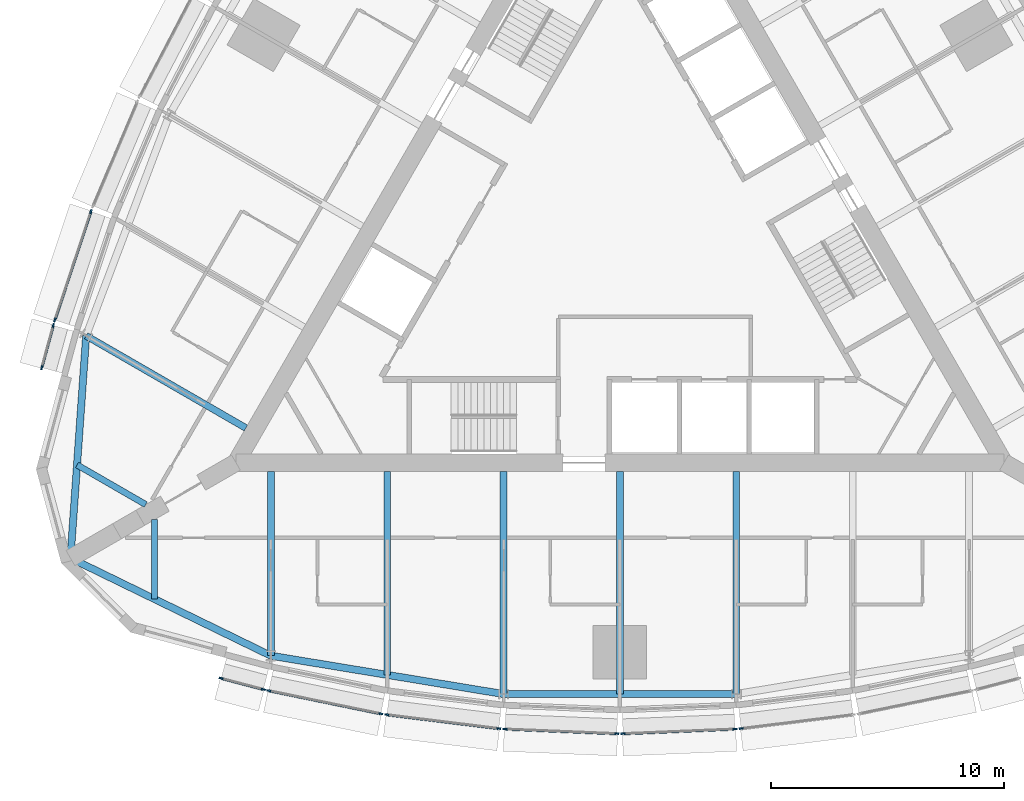
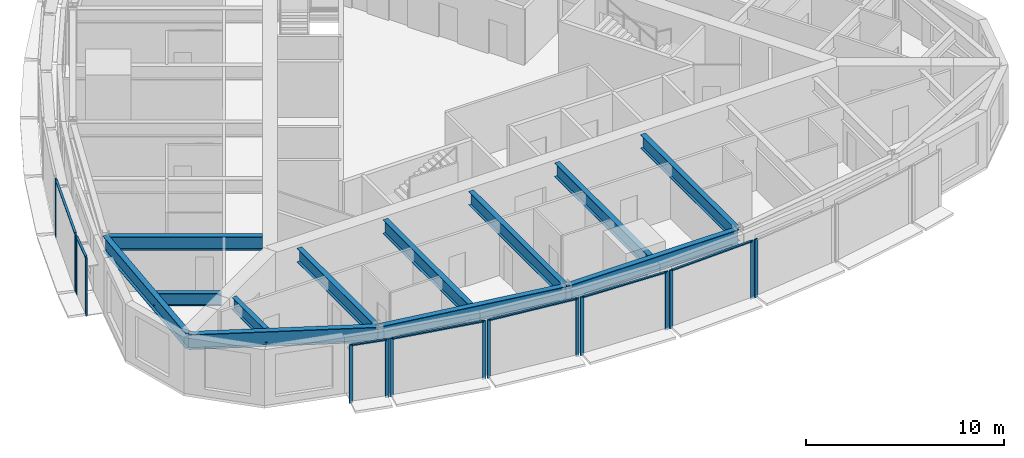
# One storey, part 2 of 15: 22 members, 12 beams, 8 elements without a shape of their own.
"""IFC4 building model written with IfcOpenShell, lengths in metres."""

from ifc_helpers import new_model, si_unit, direction, frame, origin, origin_2d, place, context, subcontext, project, spatial, rectangle, i_section, extrude, material, material_profile, profile_set, type_object, element, aggregate, save


model = new_model("IFC4")

# Units and contexts
model_context = context("Model", 3, precision=1e-05, world=origin(), true_north=direction((0.0, 1.0)))
body_context = subcontext(model_context, "Body", "Model", "MODEL_VIEW")
ifc_project = project(units=[si_unit("LENGTHUNIT", "METRE"), si_unit("AREAUNIT", "SQUARE_METRE"), si_unit("VOLUMEUNIT", "CUBIC_METRE"), si_unit("PLANEANGLEUNIT", "RADIAN"), si_unit("MASSUNIT", "GRAM", prefix="KILO")], contexts=[model_context])

# Site, building, storey
site_placement = place(None, origin())
site = spatial("IfcSite", under=ifc_project, at=site_placement, CompositionType="ELEMENT")
building_placement = place(site_placement, origin())
building = spatial("IfcBuilding", under=site, at=building_placement, Name="Trikona Tower", CompositionType="ELEMENT")
storey_placement = place(building_placement, frame((0.0, 0.0, 226.10009765625)))
storey = spatial("IfcBuildingStorey", under=building, at=storey_placement, Name="L60", CompositionType="ELEMENT", Elevation=226.10009765625)

# Curtain wall, members
ifc_material_1 = material(Name="Aluminium curtain wall system", Category="aluminium")
curtain_wall_type = type_object("IfcCurtainWallType", Name="Curtain wall DS3", PredefinedType="NOTDEFINED", material=ifc_material_1)
curtain_wall_1_placement = place(storey_placement, origin())
curtain_wall_1 = element("IfcCurtainWall", 1, at=curtain_wall_1_placement, inside=storey, type_object=curtain_wall_type, Name="Curtain wall DS3 L60", PredefinedType="NOTDEFINED")
ifc_material_2 = material(Name="Aluminium mullion, pale anodised", Category="aluminium")
ifc_material_profile_1 = material_profile(ifc_material_2, rectangle(XDim=0.070068359375, YDim=0.179931640625, at=origin_2d()), Name="MUL-DS3")
ifc_profile_set_1 = profile_set([ifc_material_profile_1], Name="Aluminium mullion, pale anodised")
member_type_1 = type_object("IfcMemberType", Name="Mullion DS3 70x180", PredefinedType="MULLION", material=ifc_profile_set_1)
member_1_placement = place(storey_placement, frame((-17.137451171875, -18.79248046875, 0.0), z_axis=(0.0, 0.0, 1.0), x_axis=(0.25478635579, 0.966997369647, 0.0)))
member_1 = element("IfcMember", 2, at=member_1_placement, type_object=member_type_1, Name="CW-DS3 mullion 1", PredefinedType="MULLION", context=body_context, shape_type="SweptSolid", body=[
    extrude(rectangle(XDim=0.070068359375, YDim=0.179931640625, at=origin_2d()), origin(), (0.0, 0.0, 1.0), 3.599853515625),
])
member_2_placement = place(storey_placement, frame((-15.321044921875, -19.27099609375, 0.0), z_axis=(0.0, 0.0, 1.0), x_axis=(0.25478635579, 0.966997369647, 0.0)))
member_2 = element("IfcMember", 3, at=member_2_placement, type_object=member_type_1, Name="CW-DS3 mullion 2", PredefinedType="MULLION", context=body_context, shape_type="SweptSolid", body=[
    extrude(rectangle(XDim=0.070068359375, YDim=0.179931640625, at=origin_2d()), origin(), (0.0, 0.0, 1.0), 3.599853515625),
])

curtain_wall_2_placement = place(storey_placement, origin())
curtain_wall_2 = element("IfcCurtainWall", 4, at=curtain_wall_2_placement, inside=storey, type_object=curtain_wall_type, Name="Curtain wall DS3 L60", PredefinedType="NOTDEFINED")
member_3_placement = place(storey_placement, frame((-15.08837890625, -19.325439453125, 0.0), z_axis=(0.0, 0.0, 1.0), x_axis=(0.201652920672, 0.979457043256, 0.0)))
member_3 = element("IfcMember", 5, at=member_3_placement, type_object=member_type_1, Name="CW-DS3 mullion 1", PredefinedType="MULLION", context=body_context, shape_type="SweptSolid", body=[
    extrude(rectangle(XDim=0.070068359375, YDim=0.179931640625, at=origin_2d()), origin(), (0.0, 0.0, 1.0), 3.599853515625),
])
member_4_placement = place(storey_placement, frame((-10.274658203125, -20.316650390625, 0.0), z_axis=(0.0, 0.0, 1.0), x_axis=(0.201652920672, 0.979457043256, 0.0)))
member_4 = element("IfcMember", 6, at=member_4_placement, type_object=member_type_1, Name="CW-DS3 mullion 2", PredefinedType="MULLION", context=body_context, shape_type="SweptSolid", body=[
    extrude(rectangle(XDim=0.070068359375, YDim=0.179931640625, at=origin_2d()), origin(), (0.0, 0.0, 1.0), 3.599853515625),
])

curtain_wall_3_placement = place(storey_placement, origin())
curtain_wall_3 = element("IfcCurtainWall", 7, at=curtain_wall_3_placement, inside=storey, type_object=curtain_wall_type, Name="Curtain wall DS3 L60", PredefinedType="NOTDEFINED")
member_5_placement = place(storey_placement, frame((-10.01611328125, -20.359130859375, 0.0), z_axis=(0.0, 0.0, 1.0), x_axis=(0.122610640458, 0.992454850785, 0.0)))
member_5 = element("IfcMember", 8, at=member_5_placement, type_object=member_type_1, Name="CW-DS3 mullion 1", PredefinedType="MULLION", context=body_context, shape_type="SweptSolid", body=[
    extrude(rectangle(XDim=0.070068359375, YDim=0.179931640625, at=origin_2d()), origin(), (0.0, 0.0, 1.0), 3.599853515625),
])
member_6_placement = place(storey_placement, frame((-5.20458984375, -20.95361328125, 0.0), z_axis=(0.0, 0.0, 1.0), x_axis=(0.122610640458, 0.992454850785, 0.0)))
member_6 = element("IfcMember", 9, at=member_6_placement, type_object=member_type_1, Name="CW-DS3 mullion 2", PredefinedType="MULLION", context=body_context, shape_type="SweptSolid", body=[
    extrude(rectangle(XDim=0.070068359375, YDim=0.179931640625, at=origin_2d()), origin(), (0.0, 0.0, 1.0), 3.599853515625),
])

curtain_wall_4_placement = place(storey_placement, origin())
curtain_wall_4 = element("IfcCurtainWall", 10, at=curtain_wall_4_placement, inside=storey, type_object=curtain_wall_type, Name="Curtain wall DS3 L60", PredefinedType="NOTDEFINED")
member_7_placement = place(storey_placement, frame((-4.942138671875, -20.97509765625, 0.0), z_axis=(0.0, 0.0, 1.0), x_axis=(0.04115278907, 0.999152865157, 0.0)))
member_7 = element("IfcMember", 11, at=member_7_placement, type_object=member_type_1, Name="CW-DS3 mullion 1", PredefinedType="MULLION", context=body_context, shape_type="SweptSolid", body=[
    extrude(rectangle(XDim=0.070068359375, YDim=0.179931640625, at=origin_2d()), origin(), (0.0, 0.0, 1.0), 3.599853515625),
])
member_8_placement = place(storey_placement, frame((-0.132080078125, -21.17333984375, 0.0), z_axis=(0.0, 0.0, 1.0), x_axis=(0.04115278907, 0.999152865157, 0.0)))
member_8 = element("IfcMember", 12, at=member_8_placement, type_object=member_type_1, Name="CW-DS3 mullion 2", PredefinedType="MULLION", context=body_context, shape_type="SweptSolid", body=[
    extrude(rectangle(XDim=0.070068359375, YDim=0.179931640625, at=origin_2d()), origin(), (0.0, 0.0, 1.0), 3.599853515625),
])

curtain_wall_5_placement = place(storey_placement, origin())
curtain_wall_5 = element("IfcCurtainWall", 13, at=curtain_wall_5_placement, inside=storey, type_object=curtain_wall_type, Name="Curtain wall DS3 L60", PredefinedType="NOTDEFINED")
member_9_placement = place(storey_placement, frame((0.132080078125, -21.17333984375, 0.0), z_axis=(0.0, 0.0, 1.0), x_axis=(-0.04115278907, 0.999152865157, 0.0)))
member_9 = element("IfcMember", 14, at=member_9_placement, type_object=member_type_1, Name="CW-DS3 mullion 1", PredefinedType="MULLION", context=body_context, shape_type="SweptSolid", body=[
    extrude(rectangle(XDim=0.070068359375, YDim=0.179931640625, at=origin_2d()), origin(), (0.0, 0.0, 1.0), 3.599853515625),
])
member_10_placement = place(storey_placement, frame((4.942138671875, -20.97509765625, 0.0), z_axis=(0.0, 0.0, 1.0), x_axis=(-0.04115278907, 0.999152865157, 0.0)))
member_10 = element("IfcMember", 15, at=member_10_placement, type_object=member_type_1, Name="CW-DS3 mullion 2", PredefinedType="MULLION", context=body_context, shape_type="SweptSolid", body=[
    extrude(rectangle(XDim=0.070068359375, YDim=0.179931640625, at=origin_2d()), origin(), (0.0, 0.0, 1.0), 3.599853515625),
])

# Curtain wall, member
curtain_wall_6_placement = place(storey_placement, origin())
curtain_wall_6 = element("IfcCurtainWall", 16, at=curtain_wall_6_placement, inside=storey, type_object=curtain_wall_type, Name="Curtain wall DS3 L60", PredefinedType="NOTDEFINED")
member_11_placement = place(storey_placement, frame((5.20458984375, -20.95361328125, 0.0), z_axis=(0.0, 0.0, 1.0), x_axis=(-0.122610640458, 0.992454850785, 0.0)))
member_11 = element("IfcMember", 17, at=member_11_placement, type_object=member_type_1, Name="CW-DS3 mullion 1", PredefinedType="MULLION", context=body_context, shape_type="SweptSolid", body=[
    extrude(rectangle(XDim=0.070068359375, YDim=0.179931640625, at=origin_2d()), origin(), (0.0, 0.0, 1.0), 3.599853515625),
])
aggregate(curtain_wall_6, [member_11])

# Curtain wall, members
curtain_wall_7_placement = place(storey_placement, origin())
curtain_wall_7 = element("IfcCurtainWall", 18, at=curtain_wall_7_placement, inside=storey, type_object=curtain_wall_type, Name="Curtain wall DS3 L60", PredefinedType="NOTDEFINED")
member_12_placement = place(storey_placement, frame((-22.73193359375, 1.26025390625, 0.0), z_axis=(0.0, 0.0, 1.0), x_axis=(0.949065766708, -0.315078038687, 0.0)))
member_12 = element("IfcMember", 19, at=member_12_placement, type_object=member_type_1, Name="CW-DS3 mullion 1", PredefinedType="MULLION", context=body_context, shape_type="SweptSolid", body=[
    extrude(rectangle(XDim=0.070068359375, YDim=0.179931640625, at=origin_2d()), origin(), (0.0, 0.0, 1.0), 3.599853515625),
])
member_13_placement = place(storey_placement, frame((-24.280517578125, -3.404296875, 0.0), z_axis=(0.0, 0.0, 1.0), x_axis=(0.949065766708, -0.315078038687, 0.0)))
member_13 = element("IfcMember", 20, at=member_13_placement, type_object=member_type_1, Name="CW-DS3 mullion 2", PredefinedType="MULLION", context=body_context, shape_type="SweptSolid", body=[
    extrude(rectangle(XDim=0.070068359375, YDim=0.179931640625, at=origin_2d()), origin(), (0.0, 0.0, 1.0), 3.599853515625),
])

curtain_wall_8_placement = place(storey_placement, origin())
curtain_wall_8 = element("IfcCurtainWall", 21, at=curtain_wall_8_placement, inside=storey, type_object=curtain_wall_type, Name="Curtain wall DS3 L60", PredefinedType="NOTDEFINED")
member_14_placement = place(storey_placement, frame((-24.349609375, -3.633056640625, 0.0), z_axis=(0.0, 0.0, 1.0), x_axis=(0.964838403494, -0.262843784676, 0.0)))
member_14 = element("IfcMember", 22, at=member_14_placement, type_object=member_type_1, Name="CW-DS3 mullion 1", PredefinedType="MULLION", context=body_context, shape_type="SweptSolid", body=[
    extrude(rectangle(XDim=0.070068359375, YDim=0.179931640625, at=origin_2d()), origin(), (0.0, 0.0, 1.0), 3.599853515625),
])
member_15_placement = place(storey_placement, frame((-24.843505859375, -5.4453125, 0.0), z_axis=(0.0, 0.0, 1.0), x_axis=(0.964838403494, -0.262843784676, 0.0)))
member_15 = element("IfcMember", 23, at=member_15_placement, type_object=member_type_1, Name="CW-DS3 mullion 2", PredefinedType="MULLION", context=body_context, shape_type="SweptSolid", body=[
    extrude(rectangle(XDim=0.070068359375, YDim=0.179931640625, at=origin_2d()), origin(), (0.0, 0.0, 1.0), 3.599853515625),
])

# Beams
ifc_material_3 = material(Name="Steel ASTM A992 Grade 50", Category="steel")
ifc_material_profile_2 = material_profile(ifc_material_3, i_section(OverallWidth=0.2666015625, OverallDepth=0.76953125, WebThickness=0.015625, FlangeThickness=0.025390625, at=origin_2d()), Name="W30X132")
ifc_profile_set_2 = profile_set([ifc_material_profile_2], Name="Steel ASTM A992 Grade 50")
beam_type_1 = type_object("IfcBeamType", Name="Steel beam W30x132 (wedge)", PredefinedType="BEAM", material=ifc_profile_set_2)
beam_1_placement = place(storey_placement, frame((-20.0, -11.97998046875, 3.050048828125), z_axis=(0.0, -1.0, 0.0), x_axis=(1.0, 0.0, 0.0)))
element("IfcBeam", 24, at=beam_1_placement, inside=storey, type_object=beam_type_1, Name="Floor beam L61 F1 u-20", PredefinedType="BEAM", context=body_context, shape_type="SweptSolid", body=[
    extrude(i_section(OverallWidth=0.2666015625, OverallDepth=0.76953125, WebThickness=0.015625, FlangeThickness=0.025390625, at=origin_2d()), origin(), (0.0, 0.0, 1.0), 3.40966796875),
])
beam_2_placement = place(storey_placement, frame((-20.375, -11.33056640625, 3.050048828125), z_axis=(-0.865995995653, 0.500050932918, 0.0), x_axis=(-0.500050932918, -0.865995995653, 0.0)))
element("IfcBeam", 25, at=beam_2_placement, inside=storey, type_object=beam_type_1, Name="Floor beam L61 F3 u20", PredefinedType="BEAM", context=body_context, shape_type="SweptSolid", body=[
    extrude(i_section(OverallWidth=0.2666015625, OverallDepth=0.76953125, WebThickness=0.015625, FlangeThickness=0.025390625, at=origin_2d()), origin(), (0.0, 0.0, 1.0), 3.409912109375),
])
ifc_material_4 = material(Name="Steel ASTM A992 Grade 50", Category="steel")
ifc_material_profile_3 = material_profile(ifc_material_4, i_section(OverallWidth=0.2919921875, OverallDepth=0.845703125, WebThickness=0.015380859375, FlangeThickness=0.0244140625, at=origin_2d()), Name="W33X141")
ifc_profile_set_3 = profile_set([ifc_material_profile_3], Name="Steel ASTM A992 Grade 50")
beam_type_2 = type_object("IfcBeamType", Name="Steel beam W33x141 (radial typ)", PredefinedType="BEAM", material=ifc_profile_set_3)
beam_3_placement = place(storey_placement, frame((-15.0, -9.9013671875, 3.011962890625), z_axis=(0.0, -1.0, 0.0), x_axis=(1.0, 0.0, 0.0)))
element("IfcBeam", 26, at=beam_3_placement, inside=storey, type_object=beam_type_2, Name="Floor beam L61 F1 u-15", PredefinedType="BEAM", context=body_context, shape_type="SweptSolid", body=[
    extrude(i_section(OverallWidth=0.2919921875, OverallDepth=0.845703125, WebThickness=0.015380859375, FlangeThickness=0.0244140625, at=origin_2d()), origin(), (0.0, 0.0, 1.0), 7.923583984375),
])
beam_4_placement = place(storey_placement, frame((-10.0, -9.9013671875, 3.011962890625), z_axis=(0.0, -1.0, 0.0), x_axis=(1.0, 0.0, 0.0)))
element("IfcBeam", 27, at=beam_4_placement, inside=storey, type_object=beam_type_2, Name="Floor beam L61 F1 u-10", PredefinedType="BEAM", context=body_context, shape_type="SweptSolid", body=[
    extrude(i_section(OverallWidth=0.2919921875, OverallDepth=0.845703125, WebThickness=0.015380859375, FlangeThickness=0.0244140625, at=origin_2d()), origin(), (0.0, 0.0, 1.0), 8.7470703125),
])
for number, where, z_axis, x_axis, name in (
    (28, (-5.0, -9.9013671875, 3.011962890625), (0.0, -1.0, 0.0), (1.0, 0.0, 0.0), "Floor beam L61 F1 u-5"),
    (29, (0.0, -9.9013671875, 3.011962890625), (0.0, -1.0, 0.0), (1.0, 0.0, 0.0), "Floor beam L61 F1 u0"),
    (30, (5.0, -9.9013671875, 3.011962890625), (0.0, -1.0, 0.0), (1.0, 0.0, 0.0), "Floor beam L61 F1 u5"),
):
    element("IfcBeam", number, at=place(storey_placement, frame(where, z_axis=z_axis, x_axis=x_axis)), inside=storey, type_object=beam_type_2, Name=name, PredefinedType="BEAM", context=body_context, shape_type="SweptSolid", body=[
        extrude(i_section(OverallWidth=0.2919921875, OverallDepth=0.845703125, WebThickness=0.015380859375, FlangeThickness=0.0244140625, at=origin_2d()), origin(), (0.0, 0.0, 1.0), 9.570556640625),
    ])
beam_5_placement = place(storey_placement, frame((-16.07470703125, -8.039794921875, 3.011962890625), z_axis=(-0.866019853763, 0.500009612796, 0.0), x_axis=(-0.500009612796, -0.866019853763, 0.0)))
element("IfcBeam", 31, at=beam_5_placement, inside=storey, type_object=beam_type_2, Name="Floor beam L61 F3 u15", PredefinedType="BEAM", context=body_context, shape_type="SweptSolid", body=[
    extrude(i_section(OverallWidth=0.2919921875, OverallDepth=0.845703125, WebThickness=0.015380859375, FlangeThickness=0.0244140625, at=origin_2d()), origin(), (0.0, 0.0, 1.0), 7.923583984375),
])
ifc_material_5 = material(Name="Steel ASTM A992 Grade 50", Category="steel")
ifc_material_profile_4 = material_profile(ifc_material_5, i_section(OverallWidth=0.307373046875, OverallDepth=0.922119140625, WebThickness=0.018310546875, FlangeThickness=0.030029296875, at=origin_2d()), Name="W36X182")
ifc_profile_set_4 = profile_set([ifc_material_profile_4], Name="Steel ASTM A992 Grade 50")
beam_type_3 = type_object("IfcBeamType", Name="Steel beam W36x182 (spandrel mid)", PredefinedType="SPANDREL", material=ifc_profile_set_4)
beam_6_placement = place(storey_placement, frame((-23.6103515625, -13.63134765625, 2.973876953125), z_axis=(0.899038503257, -0.437869580652, 0.0), x_axis=(0.437869580652, 0.899038503257, 0.0)))
element("IfcBeam", 32, at=beam_6_placement, inside=storey, type_object=beam_type_3, Name="Spandrel beam L61 F1-1", PredefinedType="SPANDREL", context=body_context, shape_type="SweptSolid", body=[
    extrude(i_section(OverallWidth=0.307373046875, OverallDepth=0.922119140625, WebThickness=0.018310546875, FlangeThickness=0.030029296875, at=origin_2d()), origin(), (0.0, 0.0, 1.0), 9.577392578125),
])
beam_7_placement = place(storey_placement, frame((-15.0, -17.824951171875, 2.973876953125), z_axis=(0.986707228918, -0.162507982575, 0.0), x_axis=(0.162507982575, 0.986707228918, 0.0)))
element("IfcBeam", 33, at=beam_7_placement, inside=storey, type_object=beam_type_3, Name="Spandrel beam L61 F1-2", PredefinedType="SPANDREL", context=body_context, shape_type="SweptSolid", body=[
    extrude(i_section(OverallWidth=0.307373046875, OverallDepth=0.922119140625, WebThickness=0.018310546875, FlangeThickness=0.030029296875, at=origin_2d()), origin(), (0.0, 0.0, 1.0), 10.134765625),
])
beam_8_placement = place(storey_placement, frame((-5.0, -19.471923828125, 2.973876953125), z_axis=(1.0, 0.0, 0.0), x_axis=(0.0, 1.0, 0.0)))
element("IfcBeam", 34, at=beam_8_placement, inside=storey, type_object=beam_type_3, Name="Spandrel beam L61 F1-3", PredefinedType="SPANDREL", context=body_context, shape_type="SweptSolid", body=[
    extrude(i_section(OverallWidth=0.307373046875, OverallDepth=0.922119140625, WebThickness=0.018310546875, FlangeThickness=0.030029296875, at=origin_2d()), origin(), (0.0, 0.0, 1.0), 10.0),
])
beam_9_placement = place(storey_placement, frame((-22.936767578125, -4.077880859375, 2.973876953125), z_axis=(-0.07033215835, -0.997523627541, 0.0), x_axis=(0.997523627541, -0.07033215835, 0.0)))
element("IfcBeam", 35, at=beam_9_placement, inside=storey, type_object=beam_type_3, Name="Spandrel beam L61 F3-5", PredefinedType="SPANDREL", context=body_context, shape_type="SweptSolid", body=[
    extrude(i_section(OverallWidth=0.307373046875, OverallDepth=0.922119140625, WebThickness=0.018310546875, FlangeThickness=0.030029296875, at=origin_2d()), origin(), (0.0, 0.0, 1.0), 9.5771484375),
])

# Member
ifc_material_6 = material(Name="Aluminium transom, pale anodised", Category="aluminium")
ifc_material_profile_5 = material_profile(ifc_material_6, rectangle(XDim=0.1201171875, YDim=0.070068359375, at=origin_2d()), Name="TRN-DS3")
ifc_profile_set_5 = profile_set([ifc_material_profile_5], Name="Aluminium transom, pale anodised")
member_type_2 = type_object("IfcMemberType", Name="Transom DS3 70x120", PredefinedType="USERDEFINED", material=ifc_profile_set_5)
member_16_placement = place(storey_placement, frame((-17.103515625, -18.80126953125, 3.56494140625), z_axis=(0.966999290683, -0.254779064719, 0.0), x_axis=(0.254779064719, 0.966999290683, 0.0)))
member_16 = element("IfcMember", 36, at=member_16_placement, type_object=member_type_2, Name="CW-DS3 transom 1.1", ObjectType="TRANSOM", PredefinedType="USERDEFINED", context=body_context, shape_type="SweptSolid", body=[
    extrude(rectangle(XDim=0.1201171875, YDim=0.070068359375, at=origin_2d()), origin(), (0.0, 0.0, 1.0), 1.80810546875),
])

aggregate(curtain_wall_1, [member_1, member_2, member_16])

member_17_placement = place(storey_placement, frame((-15.05419921875, -19.33251953125, 3.56494140625), z_axis=(0.979454408611, -0.201665717099, 0.0), x_axis=(0.201665717099, 0.979454408611, 0.0)))
member_17 = element("IfcMember", 37, at=member_17_placement, type_object=member_type_2, Name="CW-DS3 transom 1.1", ObjectType="TRANSOM", PredefinedType="USERDEFINED", context=body_context, shape_type="SweptSolid", body=[
    extrude(rectangle(XDim=0.1201171875, YDim=0.070068359375, at=origin_2d()), origin(), (0.0, 0.0, 1.0), 4.844970703125),
])

aggregate(curtain_wall_2, [member_3, member_4, member_17])

member_18_placement = place(storey_placement, frame((-9.9814453125, -20.363525390625, 3.56494140625), z_axis=(0.992459172161, -0.122575656611, 0.0), x_axis=(0.122575656611, 0.992459172161, 0.0)))
member_18 = element("IfcMember", 38, at=member_18_placement, type_object=member_type_2, Name="CW-DS3 transom 1.1", ObjectType="TRANSOM", PredefinedType="USERDEFINED", context=body_context, shape_type="SweptSolid", body=[
    extrude(rectangle(XDim=0.1201171875, YDim=0.070068359375, at=origin_2d()), origin(), (0.0, 0.0, 1.0), 4.7783203125),
])

aggregate(curtain_wall_3, [member_5, member_6, member_18])

member_19_placement = place(storey_placement, frame((-4.9072265625, -20.9765625, 3.56494140625), z_axis=(0.99915223027, -0.04116820067, 0.0), x_axis=(0.04116820067, 0.99915223027, 0.0)))
member_19 = element("IfcMember", 39, at=member_19_placement, type_object=member_type_2, Name="CW-DS3 transom 1.1", ObjectType="TRANSOM", PredefinedType="USERDEFINED", context=body_context, shape_type="SweptSolid", body=[
    extrude(rectangle(XDim=0.1201171875, YDim=0.070068359375, at=origin_2d()), origin(), (0.0, 0.0, 1.0), 4.744140625),
])

aggregate(curtain_wall_4, [member_7, member_8, member_19])

member_20_placement = place(storey_placement, frame((0.1669921875, -21.171875, 3.56494140625), z_axis=(0.99915223027, 0.04116820067, 0.0), x_axis=(-0.04116820067, 0.99915223027, 0.0)))
member_20 = element("IfcMember", 40, at=member_20_placement, type_object=member_type_2, Name="CW-DS3 transom 1.1", ObjectType="TRANSOM", PredefinedType="USERDEFINED", context=body_context, shape_type="SweptSolid", body=[
    extrude(rectangle(XDim=0.1201171875, YDim=0.070068359375, at=origin_2d()), origin(), (0.0, 0.0, 1.0), 4.744140625),
])

aggregate(curtain_wall_5, [member_9, member_10, member_20])

member_21_placement = place(storey_placement, frame((-22.7431640625, 1.22705078125, 3.56494140625), z_axis=(-0.315063426034, -0.949070617802, 0.0), x_axis=(0.949070617802, -0.315063426034, 0.0)))
member_21 = element("IfcMember", 41, at=member_21_placement, type_object=member_type_2, Name="CW-DS3 transom 1.1", ObjectType="TRANSOM", PredefinedType="USERDEFINED", context=body_context, shape_type="SweptSolid", body=[
    extrude(rectangle(XDim=0.1201171875, YDim=0.070068359375, at=origin_2d()), origin(), (0.0, 0.0, 1.0), 4.8447265625),
])

aggregate(curtain_wall_7, [member_12, member_13, member_21])

member_22_placement = place(storey_placement, frame((-24.35888671875, -3.666748046875, 3.56494140625), z_axis=(-0.262843243155, -0.964838551017, 0.0), x_axis=(0.964838551017, -0.262843243155, 0.0)))
member_22 = element("IfcMember", 42, at=member_22_placement, type_object=member_type_2, Name="CW-DS3 transom 1.1", ObjectType="TRANSOM", PredefinedType="USERDEFINED", context=body_context, shape_type="SweptSolid", body=[
    extrude(rectangle(XDim=0.1201171875, YDim=0.070068359375, at=origin_2d()), origin(), (0.0, 0.0, 1.0), 1.808349609375),
])

aggregate(curtain_wall_8, [member_14, member_15, member_22])

save(model, "model.ifc")
